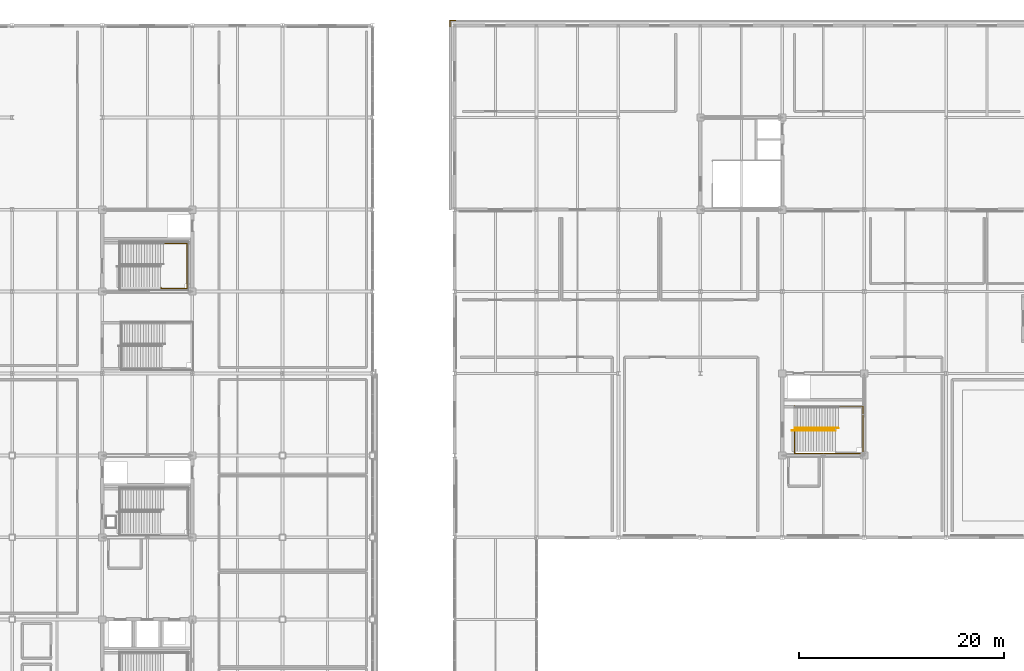
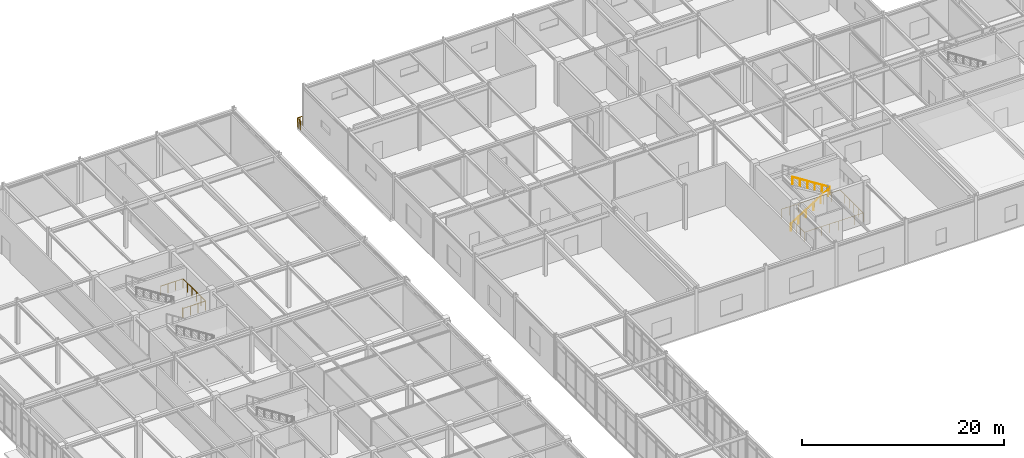
# One storey, part 103 of 108: 5 railings.
"""IFC4 building model written with IfcOpenShell, lengths in metres."""

from ifc_helpers import new_model, si_unit, direction, frame, origin, origin_2d, place, context, subcontext, project, spatial, circle, extrude, material, type_object, element, save


model = new_model("IFC4")

# Units and contexts
model_context = context("Model", 3, precision=1e-05, world=origin(), true_north=direction((0.0, 1.0)))
body_context = subcontext(model_context, "Body", "Model", "MODEL_VIEW")
ifc_project = project(units=[si_unit("LENGTHUNIT", "METRE"), si_unit("AREAUNIT", "SQUARE_METRE"), si_unit("VOLUMEUNIT", "CUBIC_METRE"), si_unit("PLANEANGLEUNIT", "RADIAN"), si_unit("MASSUNIT", "GRAM", prefix="KILO")], contexts=[model_context])

# Site, building, storey
site_placement = place(None, origin())
site = spatial("IfcSite", under=ifc_project, at=site_placement, CompositionType="ELEMENT")
building_placement = place(site_placement, origin())
building = spatial("IfcBuilding", under=site, at=building_placement, Name="Zhaolan Boulevard Law Courts", CompositionType="ELEMENT")
storey_placement = place(building_placement, frame((0.0, 0.0, 10.800048828125)))
storey = spatial("IfcBuildingStorey", under=building, at=storey_placement, Name="L02", CompositionType="ELEMENT", Elevation=10.800048828125)

# Railings
ifc_material_1 = material(Name="Brushed stainless steel tubular handrail", Category="steel")
railing_type_1 = type_object("IfcRailingType", Name="STAIR HANDRAIL 900", PredefinedType="HANDRAIL", material=ifc_material_1)
railing_1_placement = place(storey_placement, frame((84.949951171875, 72.449951171875, 0.0)))
element("IfcRailing", 1, at=railing_1_placement, inside=storey, type_object=railing_type_1, Name="Stair Handrail HR-ST08-L02-1", PredefinedType="HANDRAIL", context=body_context, shape_type="SweptSolid", body=[
    extrude(circle(Radius=0.0224609375, at=origin_2d()), frame((0.0, 0.0, 0.87744140625), z_axis=(0.843501457581, 0.0, 0.537126885437), x_axis=(0.0, 1.0, 0.0)), (0.0, 0.0, 1.0), 5.026611328125),
    extrude(circle(Radius=0.01904296875, at=origin_2d()), origin(), (0.0, 0.0, 1.0), 0.85498046875),
    extrude(circle(Radius=0.01904296875, at=origin_2d()), frame((0.847900390625, 0.0, 0.5400390625)), (0.0, 0.0, 1.0), 0.85498046875),
    extrude(circle(Radius=0.01904296875, at=origin_2d()), frame((1.696044921875, 0.0, 1.080078125)), (0.0, 0.0, 1.0), 0.85498046875),
    extrude(circle(Radius=0.01904296875, at=origin_2d()), frame((2.5439453125, 0.0, 1.619873046875)), (0.0, 0.0, 1.0), 0.85498046875),
    extrude(circle(Radius=0.01904296875, at=origin_2d()), frame((3.39208984375, 0.0, 2.159912109375)), (0.0, 0.0, 1.0), 0.85498046875),
    extrude(circle(Radius=0.01904296875, at=origin_2d()), frame((4.239990234375, 0.0, 2.699951171875)), (0.0, 0.0, 1.0), 0.85498046875),
])
railing_2_placement = place(storey_placement, frame((89.47509765625, 72.669921875, 2.699951171875)))
element("IfcRailing", 2, at=railing_2_placement, inside=storey, type_object=railing_type_1, Name="Stair Handrail HR-ST08-L02-2", PredefinedType="HANDRAIL", context=body_context, shape_type="SweptSolid", body=[
    extrude(circle(Radius=0.0224609375, at=origin_2d()), frame((0.0, 0.0, 0.87744140625), z_axis=(-0.843501457581, 0.0, 0.537126885437), x_axis=(0.0, -1.0, 0.0)), (0.0, 0.0, 1.0), 5.026611328125),
    extrude(circle(Radius=0.01904296875, at=origin_2d()), origin(), (0.0, 0.0, 1.0), 0.85498046875),
    extrude(circle(Radius=0.01904296875, at=origin_2d()), frame((-0.847900390625, 0.0, 0.5400390625)), (0.0, 0.0, 1.0), 0.85498046875),
    extrude(circle(Radius=0.01904296875, at=origin_2d()), frame((-1.696044921875, 0.0, 1.080078125)), (0.0, 0.0, 1.0), 0.85498046875),
    extrude(circle(Radius=0.01904296875, at=origin_2d()), frame((-2.5439453125, 0.0, 1.619873046875)), (0.0, 0.0, 1.0), 0.85498046875),
    extrude(circle(Radius=0.01904296875, at=origin_2d()), frame((-3.39208984375, 0.0, 2.159912109375)), (0.0, 0.0, 1.0), 0.85498046875),
    extrude(circle(Radius=0.01904296875, at=origin_2d()), frame((-4.239990234375, 0.0, 2.699951171875)), (0.0, 0.0, 1.0), 0.85498046875),
])
ifc_material_2 = material(Name="Powder-coated steel baluster guardrail", Category="steel")
railing_type_2 = type_object("IfcRailingType", Name="STAIR WELL GUARDRAIL 1120", PredefinedType="GUARDRAIL", material=ifc_material_2)
railing_3_placement = place(storey_placement, frame((85.18994140625, 72.56005859375, 0.0)))
element("IfcRailing", 3, at=railing_3_placement, inside=storey, type_object=railing_type_2, Name="Stair-Well Floor Guardrail WG-ST08-L01", PredefinedType="GUARDRAIL", context=body_context, shape_type="SweptSolid", body=[
    extrude(circle(Radius=0.02392578125, at=origin_2d()), frame((0.0, 0.0, 1.09619140625), z_axis=(0.0, -1.0, 0.0), x_axis=(1.0, 0.0, 0.0)), (0.0, 0.0, 1.0), 2.360107421875),
    extrude(circle(Radius=0.02392578125, at=origin_2d()), frame((0.0, -2.360107421875, 1.09619140625), z_axis=(1.0, 0.0, 0.0), x_axis=(0.0, 1.0, 0.0)), (0.0, 0.0, 1.0), 6.7099609375),
    extrude(circle(Radius=0.02392578125, at=origin_2d()), frame((6.7099609375, -2.360107421875, 1.09619140625), z_axis=(0.0, 1.0, 0.0), x_axis=(-1.0, 0.0, 0.0)), (0.0, 0.0, 1.0), 4.60009765625),
    extrude(circle(Radius=0.02392578125, at=origin_2d()), frame((6.7099609375, 2.239990234375, 1.09619140625), z_axis=(-1.0, 0.0, 0.0), x_axis=(0.0, -1.0, 0.0)), (0.0, 0.0, 1.0), 6.7099609375),
    extrude(circle(Radius=0.02392578125, at=origin_2d()), frame((0.0, 2.239990234375, 1.09619140625), z_axis=(0.0, 1.0, 0.0), x_axis=(-1.0, 0.0, 0.0)), (0.0, 0.0, 1.0), 0.02001953125),
    extrude(circle(Radius=0.02099609375, at=origin_2d()), origin(), (0.0, 0.0, 1.0), 1.072021484375),
    extrude(circle(Radius=0.02099609375, at=origin_2d()), frame((0.0, -0.78662109375, 0.0)), (0.0, 0.0, 1.0), 1.072021484375),
    extrude(circle(Radius=0.02099609375, at=origin_2d()), frame((0.0, -1.573486328125, 0.0)), (0.0, 0.0, 1.0), 1.072021484375),
    extrude(circle(Radius=0.02099609375, at=origin_2d()), frame((0.0, -2.360107421875, 0.0)), (0.0, 0.0, 1.0), 1.072021484375),
    extrude(circle(Radius=0.02099609375, at=origin_2d()), frame((0.95849609375, -2.360107421875, 0.0)), (0.0, 0.0, 1.0), 1.072021484375),
    extrude(circle(Radius=0.02099609375, at=origin_2d()), frame((1.917236328125, -2.360107421875, 0.0)), (0.0, 0.0, 1.0), 1.072021484375),
    extrude(circle(Radius=0.02099609375, at=origin_2d()), frame((2.875732421875, -2.360107421875, 0.0)), (0.0, 0.0, 1.0), 1.072021484375),
    extrude(circle(Radius=0.02099609375, at=origin_2d()), frame((3.834228515625, -2.360107421875, 0.0)), (0.0, 0.0, 1.0), 1.072021484375),
    extrude(circle(Radius=0.02099609375, at=origin_2d()), frame((4.792724609375, -2.360107421875, 0.0)), (0.0, 0.0, 1.0), 1.072021484375),
    extrude(circle(Radius=0.02099609375, at=origin_2d()), frame((5.75146484375, -2.360107421875, 0.0)), (0.0, 0.0, 1.0), 1.072021484375),
    extrude(circle(Radius=0.02099609375, at=origin_2d()), frame((6.7099609375, -2.360107421875, 0.0)), (0.0, 0.0, 1.0), 1.072021484375),
    extrude(circle(Radius=0.02099609375, at=origin_2d()), frame((6.7099609375, -1.440185546875, 0.0)), (0.0, 0.0, 1.0), 1.072021484375),
    extrude(circle(Radius=0.02099609375, at=origin_2d()), frame((6.7099609375, -0.52001953125, 0.0)), (0.0, 0.0, 1.0), 1.072021484375),
    extrude(circle(Radius=0.02099609375, at=origin_2d()), frame((6.7099609375, 0.39990234375, 0.0)), (0.0, 0.0, 1.0), 1.072021484375),
    extrude(circle(Radius=0.02099609375, at=origin_2d()), frame((6.7099609375, 1.320068359375, 0.0)), (0.0, 0.0, 1.0), 1.072021484375),
    extrude(circle(Radius=0.02099609375, at=origin_2d()), frame((6.7099609375, 2.239990234375, 0.0)), (0.0, 0.0, 1.0), 1.072021484375),
    extrude(circle(Radius=0.02099609375, at=origin_2d()), frame((5.75146484375, 2.239990234375, 0.0)), (0.0, 0.0, 1.0), 1.072021484375),
    extrude(circle(Radius=0.02099609375, at=origin_2d()), frame((4.792724609375, 2.239990234375, 0.0)), (0.0, 0.0, 1.0), 1.072021484375),
    extrude(circle(Radius=0.02099609375, at=origin_2d()), frame((3.834228515625, 2.239990234375, 0.0)), (0.0, 0.0, 1.0), 1.072021484375),
    extrude(circle(Radius=0.02099609375, at=origin_2d()), frame((2.875732421875, 2.239990234375, 0.0)), (0.0, 0.0, 1.0), 1.072021484375),
    extrude(circle(Radius=0.02099609375, at=origin_2d()), frame((1.917236328125, 2.239990234375, 0.0)), (0.0, 0.0, 1.0), 1.072021484375),
    extrude(circle(Radius=0.02099609375, at=origin_2d()), frame((0.95849609375, 2.239990234375, 0.0)), (0.0, 0.0, 1.0), 1.072021484375),
    extrude(circle(Radius=0.02099609375, at=origin_2d()), frame((0.0, 2.239990234375, 0.0)), (0.0, 0.0, 1.0), 1.072021484375),
    extrude(circle(Radius=0.02099609375, at=origin_2d()), frame((0.0, 2.260009765625, 0.0)), (0.0, 0.0, 1.0), 1.072021484375),
])
railing_4_placement = place(storey_placement, frame((23.320068359375, 86.39990234375, 2.699951171875)))
element("IfcRailing", 4, at=railing_4_placement, inside=storey, type_object=railing_type_2, Name="Half-Landing Guardrail SG-ST10-L02-M", PredefinedType="GUARDRAIL", context=body_context, shape_type="SweptSolid", body=[
    extrude(circle(Radius=0.02392578125, at=origin_2d()), frame((0.0, 0.0, 1.09619140625), z_axis=(0.0, -1.0, 0.0), x_axis=(1.0, 0.0, 0.0)), (0.0, 0.0, 1.0), 0.119873046875),
    extrude(circle(Radius=0.02392578125, at=origin_2d()), frame((0.0, -0.119873046875, 1.09619140625), z_axis=(1.0, 0.0, 0.0), x_axis=(0.0, 1.0, 0.0)), (0.0, 0.0, 1.0), 2.550048828125),
    extrude(circle(Radius=0.02392578125, at=origin_2d()), frame((2.550048828125, -0.119873046875, 1.09619140625), z_axis=(0.0, 1.0, 0.0), x_axis=(-1.0, 0.0, 0.0)), (0.0, 0.0, 1.0), 4.43994140625),
    extrude(circle(Radius=0.02392578125, at=origin_2d()), frame((2.550048828125, 4.320068359375, 1.09619140625), z_axis=(-1.0, 0.0, 0.0), x_axis=(0.0, -1.0, 0.0)), (0.0, 0.0, 1.0), 2.550048828125),
    extrude(circle(Radius=0.02099609375, at=origin_2d()), origin(), (0.0, 0.0, 1.0), 1.072021484375),
    extrude(circle(Radius=0.02099609375, at=origin_2d()), frame((0.0, -0.119873046875, 0.0)), (0.0, 0.0, 1.0), 1.072021484375),
    extrude(circle(Radius=0.02099609375, at=origin_2d()), frame((0.85009765625, -0.119873046875, 0.0)), (0.0, 0.0, 1.0), 1.072021484375),
    extrude(circle(Radius=0.02099609375, at=origin_2d()), frame((1.699951171875, -0.119873046875, 0.0)), (0.0, 0.0, 1.0), 1.072021484375),
    extrude(circle(Radius=0.02099609375, at=origin_2d()), frame((2.550048828125, -0.119873046875, 0.0)), (0.0, 0.0, 1.0), 1.072021484375),
    extrude(circle(Radius=0.02099609375, at=origin_2d()), frame((2.550048828125, 0.76806640625, 0.0)), (0.0, 0.0, 1.0), 1.072021484375),
    extrude(circle(Radius=0.02099609375, at=origin_2d()), frame((2.550048828125, 1.656005859375, 0.0)), (0.0, 0.0, 1.0), 1.072021484375),
    extrude(circle(Radius=0.02099609375, at=origin_2d()), frame((2.550048828125, 2.544189453125, 0.0)), (0.0, 0.0, 1.0), 1.072021484375),
    extrude(circle(Radius=0.02099609375, at=origin_2d()), frame((2.550048828125, 3.43212890625, 0.0)), (0.0, 0.0, 1.0), 1.072021484375),
    extrude(circle(Radius=0.02099609375, at=origin_2d()), frame((2.550048828125, 4.320068359375, 0.0)), (0.0, 0.0, 1.0), 1.072021484375),
    extrude(circle(Radius=0.02099609375, at=origin_2d()), frame((1.699951171875, 4.320068359375, 0.0)), (0.0, 0.0, 1.0), 1.072021484375),
    extrude(circle(Radius=0.02099609375, at=origin_2d()), frame((0.85009765625, 4.320068359375, 0.0)), (0.0, 0.0, 1.0), 1.072021484375),
    extrude(circle(Radius=0.02099609375, at=origin_2d()), frame((0.0, 4.320068359375, 0.0)), (0.0, 0.0, 1.0), 1.072021484375),
])
railing_5_placement = place(storey_placement, frame((51.5400390625, 111.8798828125, 0.0)))
element("IfcRailing", 5, at=railing_5_placement, inside=storey, type_object=railing_type_2, Name="Slab Corner Guardrail GR-CRN-L02-V6NW", PredefinedType="GUARDRAIL", context=body_context, shape_type="SweptSolid", body=[
    extrude(circle(Radius=0.02392578125, at=origin_2d()), frame((0.0, 0.0, 1.09619140625), z_axis=(0.0, 1.0, 0.0), x_axis=(-1.0, 0.0, 0.0)), (0.0, 0.0, 1.0), 0.580078125),
    extrude(circle(Radius=0.02392578125, at=origin_2d()), frame((0.0, 0.580078125, 1.09619140625), z_axis=(1.0, 0.0, 0.0), x_axis=(0.0, 1.0, 0.0)), (0.0, 0.0, 1.0), 0.580078125),
    extrude(circle(Radius=0.02099609375, at=origin_2d()), origin(), (0.0, 0.0, 1.0), 1.072021484375),
    extrude(circle(Radius=0.02099609375, at=origin_2d()), frame((0.0, 0.2900390625, 0.0)), (0.0, 0.0, 1.0), 1.072021484375),
    extrude(circle(Radius=0.02099609375, at=origin_2d()), frame((0.0, 0.580078125, 0.0)), (0.0, 0.0, 1.0), 1.072021484375),
    extrude(circle(Radius=0.02099609375, at=origin_2d()), frame((0.2900390625, 0.580078125, 0.0)), (0.0, 0.0, 1.0), 1.072021484375),
    extrude(circle(Radius=0.02099609375, at=origin_2d()), frame((0.580078125, 0.580078125, 0.0)), (0.0, 0.0, 1.0), 1.072021484375),
])

save(model, "model.ifc")
